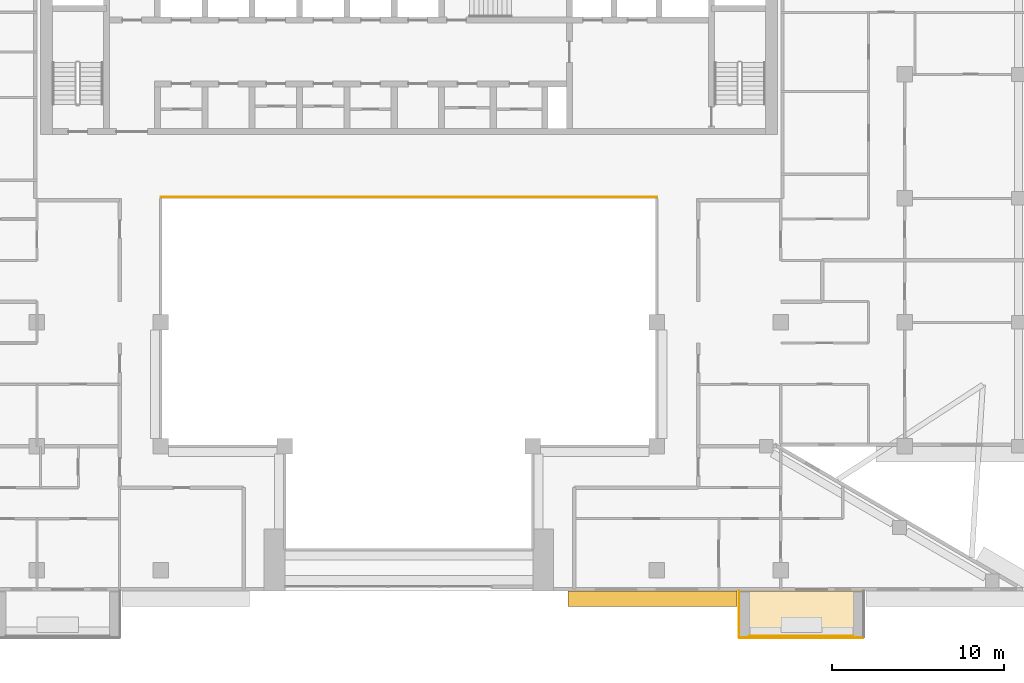
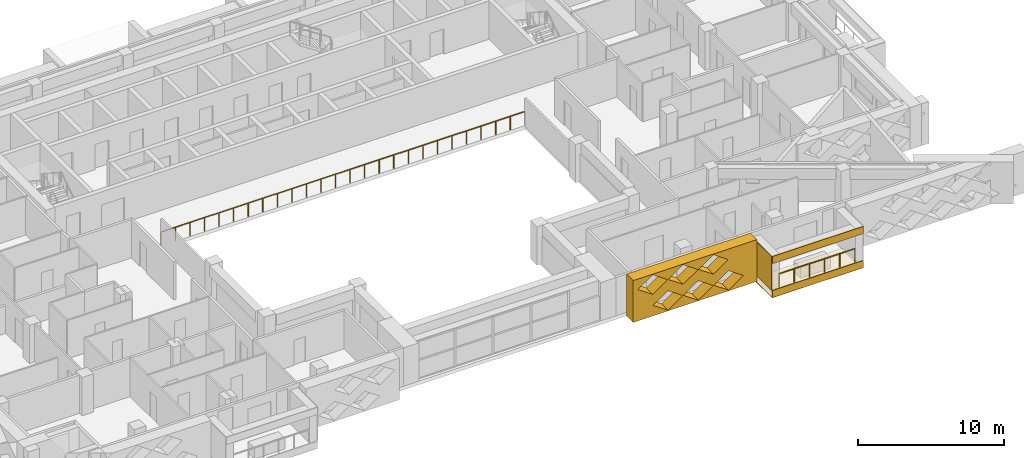
# One storey, part 16 of 20: 5 coverings, 2 railings.
"""IFC4 building model written with IfcOpenShell, lengths in metres."""

from ifc_helpers import new_model, si_unit, direction, frame, origin, origin_2d, place, context, subcontext, project, spatial, polyline, circle, outline, extrude, material, layer, layer_set, type_object, element, save


model = new_model("IFC4")

# Units and contexts
model_context = context("Model", 3, precision=1e-05, world=origin(), true_north=direction((0.0, 1.0)))
body_context = subcontext(model_context, "Body", "Model", "MODEL_VIEW")
ifc_project = project(units=[si_unit("LENGTHUNIT", "METRE"), si_unit("AREAUNIT", "SQUARE_METRE"), si_unit("VOLUMEUNIT", "CUBIC_METRE"), si_unit("PLANEANGLEUNIT", "RADIAN"), si_unit("MASSUNIT", "GRAM", prefix="KILO")], contexts=[model_context])

# Site, building, storey
site_placement = place(None, origin())
site = spatial("IfcSite", under=ifc_project, at=site_placement, CompositionType="ELEMENT")
building_placement = place(site_placement, origin())
building = spatial("IfcBuilding", under=site, at=building_placement, Name="Saffron Iwan Residences", CompositionType="ELEMENT")
storey_placement = place(building_placement, frame((0.0, 0.0, 181.5)))
storey = spatial("IfcBuildingStorey", under=building, at=storey_placement, Name="L48", CompositionType="ELEMENT", Elevation=181.5)

# Railings
ifc_material_1 = material(Name="Stainless steel 316", Category="steel")
railing_type_1 = type_object("IfcRailingType", Name="Atrium guard 1150", PredefinedType="GUARDRAIL", material=ifc_material_1)
railing_1_placement = place(storey_placement, frame((36.0, 62.47509765625, 0.0)))
element("IfcRailing", 1, at=railing_1_placement, inside=storey, type_object=railing_type_1, Name="Atrium guard L48", PredefinedType="GUARDRAIL", context=body_context, shape_type="SweptSolid", body=[
    extrude(circle(Radius=0.02392578125, at=origin_2d()), frame((0.0, 0.0, 1.1259765625), z_axis=(1.0, 0.0, 0.0), x_axis=(0.0, 1.0, 0.0)), (0.0, 0.0, 1.0), 28.800048828125),
    extrude(circle(Radius=0.02099609375, at=origin_2d()), origin(), (0.0, 0.0, 1.0), 1.101806640625),
    extrude(circle(Radius=0.02099609375, at=origin_2d()), frame((1.152099609375, 0.0, 0.0)), (0.0, 0.0, 1.0), 1.101806640625),
    extrude(circle(Radius=0.02099609375, at=origin_2d()), frame((2.303955078125, 0.0, 0.0)), (0.0, 0.0, 1.0), 1.101806640625),
    extrude(circle(Radius=0.02099609375, at=origin_2d()), frame((3.4560546875, 0.0, 0.0)), (0.0, 0.0, 1.0), 1.101806640625),
    extrude(circle(Radius=0.02099609375, at=origin_2d()), frame((4.60791015625, 0.0, 0.0)), (0.0, 0.0, 1.0), 1.101806640625),
    extrude(circle(Radius=0.02099609375, at=origin_2d()), frame((5.760009765625, 0.0, 0.0)), (0.0, 0.0, 1.0), 1.101806640625),
    extrude(circle(Radius=0.02099609375, at=origin_2d()), frame((6.912109375, 0.0, 0.0)), (0.0, 0.0, 1.0), 1.101806640625),
    extrude(circle(Radius=0.02099609375, at=origin_2d()), frame((8.06396484375, 0.0, 0.0)), (0.0, 0.0, 1.0), 1.101806640625),
    extrude(circle(Radius=0.02099609375, at=origin_2d()), frame((9.216064453125, 0.0, 0.0)), (0.0, 0.0, 1.0), 1.101806640625),
    extrude(circle(Radius=0.02099609375, at=origin_2d()), frame((10.367919921875, 0.0, 0.0)), (0.0, 0.0, 1.0), 1.101806640625),
    extrude(circle(Radius=0.02099609375, at=origin_2d()), frame((11.52001953125, 0.0, 0.0)), (0.0, 0.0, 1.0), 1.101806640625),
    extrude(circle(Radius=0.02099609375, at=origin_2d()), frame((12.672119140625, 0.0, 0.0)), (0.0, 0.0, 1.0), 1.101806640625),
    extrude(circle(Radius=0.02099609375, at=origin_2d()), frame((13.823974609375, 0.0, 0.0)), (0.0, 0.0, 1.0), 1.101806640625),
    extrude(circle(Radius=0.02099609375, at=origin_2d()), frame((14.97607421875, 0.0, 0.0)), (0.0, 0.0, 1.0), 1.101806640625),
    extrude(circle(Radius=0.02099609375, at=origin_2d()), frame((16.1279296875, 0.0, 0.0)), (0.0, 0.0, 1.0), 1.101806640625),
    extrude(circle(Radius=0.02099609375, at=origin_2d()), frame((17.280029296875, 0.0, 0.0)), (0.0, 0.0, 1.0), 1.101806640625),
    extrude(circle(Radius=0.02099609375, at=origin_2d()), frame((18.43212890625, 0.0, 0.0)), (0.0, 0.0, 1.0), 1.101806640625),
    extrude(circle(Radius=0.02099609375, at=origin_2d()), frame((19.583984375, 0.0, 0.0)), (0.0, 0.0, 1.0), 1.101806640625),
    extrude(circle(Radius=0.02099609375, at=origin_2d()), frame((20.736083984375, 0.0, 0.0)), (0.0, 0.0, 1.0), 1.101806640625),
    extrude(circle(Radius=0.02099609375, at=origin_2d()), frame((21.887939453125, 0.0, 0.0)), (0.0, 0.0, 1.0), 1.101806640625),
    extrude(circle(Radius=0.02099609375, at=origin_2d()), frame((23.0400390625, 0.0, 0.0)), (0.0, 0.0, 1.0), 1.101806640625),
    extrude(circle(Radius=0.02099609375, at=origin_2d()), frame((24.192138671875, 0.0, 0.0)), (0.0, 0.0, 1.0), 1.101806640625),
    extrude(circle(Radius=0.02099609375, at=origin_2d()), frame((25.343994140625, 0.0, 0.0)), (0.0, 0.0, 1.0), 1.101806640625),
    extrude(circle(Radius=0.02099609375, at=origin_2d()), frame((26.49609375, 0.0, 0.0)), (0.0, 0.0, 1.0), 1.101806640625),
    extrude(circle(Radius=0.02099609375, at=origin_2d()), frame((27.64794921875, 0.0, 0.0)), (0.0, 0.0, 1.0), 1.101806640625),
    extrude(circle(Radius=0.02099609375, at=origin_2d()), frame((28.800048828125, 0.0, 0.0)), (0.0, 0.0, 1.0), 1.101806640625),
])
railing_type_2 = type_object("IfcRailingType", Name="BALCONY GUARD 1150", PredefinedType="GUARDRAIL", material=ifc_material_1)
railing_2_placement = place(storey_placement, frame((70.199951171875, 36.97509765625, 0.0)))
element("IfcRailing", 2, at=railing_2_placement, inside=storey, type_object=railing_type_2, Name="Balcony guard L48 11-1", PredefinedType="GUARDRAIL", context=body_context, shape_type="SweptSolid", body=[
    extrude(circle(Radius=0.02392578125, at=origin_2d()), frame((0.0, 0.0, 1.1259765625), z_axis=(1.0, 0.0, 0.0), x_axis=(0.0, 1.0, 0.0)), (0.0, 0.0, 1.0), 6.0),
    extrude(circle(Radius=0.02099609375, at=origin_2d()), origin(), (0.0, 0.0, 1.0), 1.101806640625),
    extrude(circle(Radius=0.02099609375, at=origin_2d()), frame((1.199951171875, 0.0, 0.0)), (0.0, 0.0, 1.0), 1.101806640625),
    extrude(circle(Radius=0.02099609375, at=origin_2d()), frame((2.39990234375, 0.0, 0.0)), (0.0, 0.0, 1.0), 1.101806640625),
    extrude(circle(Radius=0.02099609375, at=origin_2d()), frame((3.60009765625, 0.0, 0.0)), (0.0, 0.0, 1.0), 1.101806640625),
    extrude(circle(Radius=0.02099609375, at=origin_2d()), frame((4.800048828125, 0.0, 0.0)), (0.0, 0.0, 1.0), 1.101806640625),
    extrude(circle(Radius=0.02099609375, at=origin_2d()), frame((6.0, 0.0, 0.0)), (0.0, 0.0, 1.0), 1.101806640625),
])

# Coverings
ifc_material_2 = material(Name="Precast concrete C40/50 white painted", Category="concrete")
ifc_layer = layer(ifc_material_2, 0.050048828125)
ifc_layer_set = layer_set([ifc_layer], Name="Precast concrete C40/50 white painted")
covering_type_1 = type_object("IfcCoveringType", Name="FRAME SKIN PRECAST WHITE 50", PredefinedType="CLADDING", material=ifc_layer_set)
for number, where, name in (
    (3, (0.0, 0.0, -0.60009765625), "Frame skin slab edge L48 11-1"),
    (4, (0.0, 0.0, 2.25), "Frame skin fascia L48 11-1"),
):
    element("IfcCovering", number, at=place(storey_placement, frame(where)), inside=storey, type_object=covering_type_1, Name=name, PredefinedType="CLADDING", context=body_context, shape_type="SweptSolid", body=[
        extrude(outline(polyline([(69.60009765625, 36.85009765625), (76.800048828125, 36.85009765625), (76.800048828125, 36.89990234375), (69.60009765625, 36.89990234375), (69.60009765625, 36.85009765625)])), origin(), (0.0, 0.0, 1.0), 0.60009765625),
    ])
covering_1_placement = place(storey_placement, frame((0.0, 0.0, -0.64990234375)))
element("IfcCovering", 5, at=covering_1_placement, inside=storey, type_object=covering_type_1, Name="Frame skin soffit L48 11-1", PredefinedType="CLADDING", context=body_context, shape_type="SweptSolid", body=[
    extrude(outline(polyline([(69.60009765625, 36.89990234375), (76.800048828125, 36.89990234375), (76.800048828125, 39.60009765625), (69.60009765625, 39.60009765625), (69.60009765625, 36.89990234375)])), origin(), (0.0, 0.0, 1.0), 0.0498046875),
])
covering_2_placement = place(storey_placement, origin())
element("IfcCovering", 6, at=covering_2_placement, inside=storey, type_object=covering_type_1, Name="Frame skin fin L48 11-1a", PredefinedType="CLADDING", context=body_context, shape_type="SweptSolid", body=[
    extrude(outline(polyline([(69.550048828125, 36.89990234375), (69.60009765625, 36.89990234375), (69.60009765625, 39.60009765625), (69.550048828125, 39.60009765625), (69.550048828125, 36.89990234375)])), origin(), (0.0, 0.0, 1.0), 2.85009765625),
])
ifc_material_3 = material(Name="Precast concrete C40/50", Category="concrete")
covering_type_2 = type_object("IfcCoveringType", Name="OUTER SKIN LATTICE SCREEN", PredefinedType="CLADDING", material=ifc_material_3)
covering_3_placement = place(storey_placement, frame((59.64990234375, 39.60009765625, -0.300048828125), z_axis=(0.0, -1.0, 0.0), x_axis=(1.0, 0.0, 0.0)))
element("IfcCovering", 7, at=covering_3_placement, inside=storey, type_object=covering_type_2, Name="OUTER SKIN lattice screen L48 F11.2", PredefinedType="CLADDING", context=body_context, shape_type="SweptSolid", body=[
    extrude(outline(polyline([(0.0, 0.0), (9.800048828125, 0.0), (9.800048828125, 3.5), (0.0, 3.5), (0.0, 0.0)]), holes=[polyline([(1.570068359375, 0.875), (2.75, 0.06005859375), (3.929931640625, 0.875), (2.75, 1.68994140625), (1.570068359375, 0.875)]), polyline([(3.969970703125, 0.875), (5.14990234375, 0.06005859375), (6.330078125, 0.875), (5.14990234375, 1.68994140625), (3.969970703125, 0.875)]), polyline([(6.3701171875, 0.875), (7.550048828125, 0.06005859375), (8.72998046875, 0.875), (7.550048828125, 1.68994140625), (6.3701171875, 0.875)]), polyline([(0.3701171875, 2.625), (1.550048828125, 1.81005859375), (2.72998046875, 2.625), (1.550048828125, 3.43994140625), (0.3701171875, 2.625)]), polyline([(2.77001953125, 2.625), (3.949951171875, 1.81005859375), (5.1298828125, 2.625), (3.949951171875, 3.43994140625), (2.77001953125, 2.625)]), polyline([(5.169921875, 2.625), (6.35009765625, 1.81005859375), (7.530029296875, 2.625), (6.35009765625, 3.43994140625), (5.169921875, 2.625)])]), origin(), (0.0, 0.0, 1.0), 0.900146484375),
])

save(model, "model.ifc")
